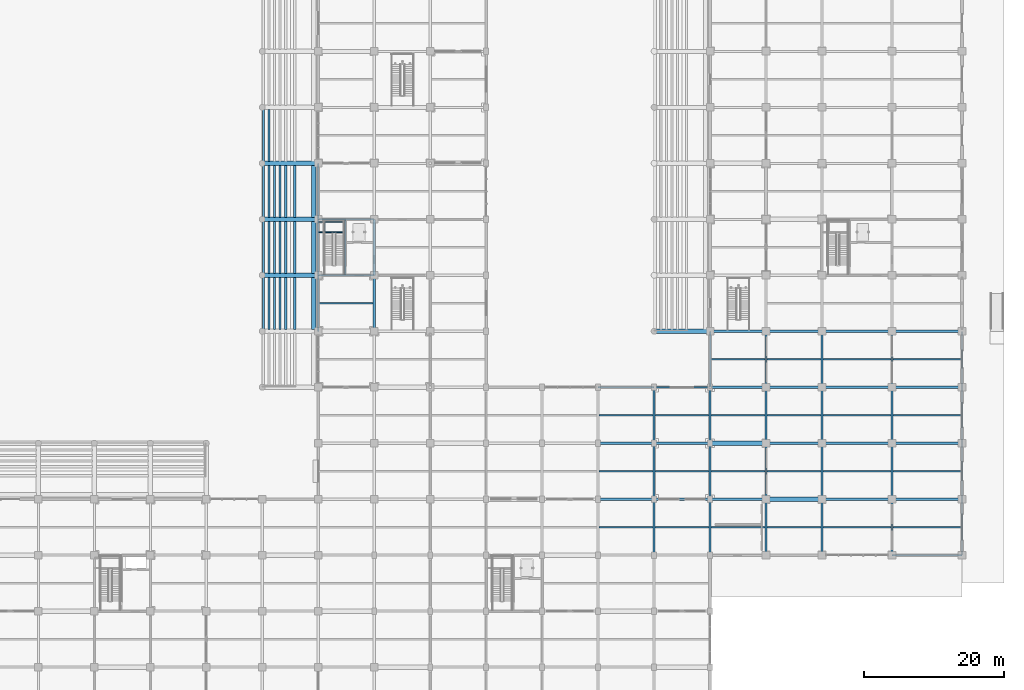
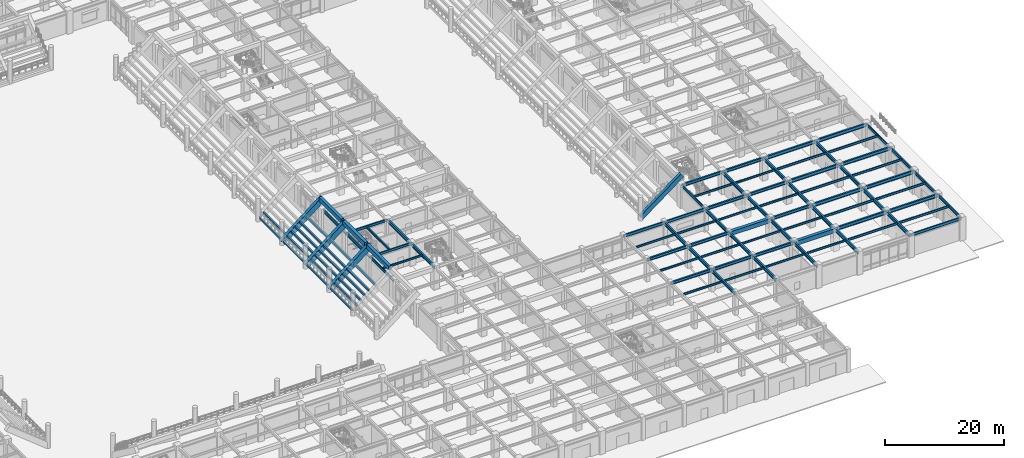
# One storey, part 35 of 125: 107 beams.
"""IFC4 building model written with IfcOpenShell, lengths in metres."""

import ifcopenshell
import ifcopenshell.guid

model = None  # the IFC model being written
_history = None  # IfcOwnerHistory: only IFC2X3 demands one
_inside = {}  # id of a spatial element -> (the spatial element, [elements in it])
_under = {}  # id of a project, library or spatial element -> (it, [spatial elements below it])
_declared = {}  # id of a project -> (the project, [libraries it declares])
_typed = {}  # id of a type object -> (the type object, [elements of that type])
_made_of = {}  # id of a material, layer set ... -> (it, [elements and type objects made of it])


def new_model(schema):
    """Start an empty IFC model of exactly this schema.

    Asked for "IFC4X3", IfcOpenShell would pick the latest addendum, in which some entities
    have other attributes; the version numbers below select the first issue.
    IFC2X3 requires an IfcOwnerHistory on every rooted entity: one is made here for all.
    """
    global model, _history
    if schema == "IFC4X3":
        model = ifcopenshell.file(schema_version=(4, 3, 0, 0))
    else:
        model = ifcopenshell.file(schema=schema)
    _inside.clear()
    _under.clear()
    _declared.clear()
    _typed.clear()
    _made_of.clear()
    _history = None
    if model.schema == "IFC2X3":
        org = make("IfcOrganization", Name="unknown")
        user = make(
            "IfcPersonAndOrganization",
            ThePerson=make("IfcPerson", FamilyName="unknown"),
            TheOrganization=org,
        )
        app = make(
            "IfcApplication",
            ApplicationDeveloper=org,
            Version="unknown",
            ApplicationFullName="unknown",
            ApplicationIdentifier="unknown",
        )
        _history = make(
            "IfcOwnerHistory",
            OwningUser=user,
            OwningApplication=app,
            ChangeAction="ADDED",
            CreationDate=0,
        )
    return model


def make(cls, **values):
    """One entity of the class cls with the attributes given. An attribute that is None is left unset."""
    return model.create_entity(
        cls, **{name: value for name, value in values.items() if value is not None}
    )


def rooted(cls, **values):
    """An entity with a GlobalId (a new one), such as an element, a storey or a relation."""
    return make(cls, GlobalId=ifcopenshell.guid.new(), OwnerHistory=_history, **values)


def si_unit(unit_type, name, prefix=None):
    """IfcSIUnit, for example si_unit("LENGTHUNIT", "METRE", prefix="MILLI")."""
    return make("IfcSIUnit", UnitType=unit_type, Prefix=prefix, Name=name)


def assignment(units):
    """IfcUnitAssignment: the units of a project."""
    return None if units is None else make("IfcUnitAssignment", Units=units)


def point(xyz):
    """IfcCartesianPoint."""
    return None if xyz is None else make("IfcCartesianPoint", Coordinates=xyz)


def direction(xyz):
    """IfcDirection."""
    return None if xyz is None else make("IfcDirection", DirectionRatios=xyz)


def frame(location, z_axis=None, x_axis=None):
    """IfcAxis2Placement3D, a coordinate frame: its origin and axes. An axis left out is left unset."""
    return make(
        "IfcAxis2Placement3D",
        Location=point(location),
        Axis=direction(z_axis),
        RefDirection=direction(x_axis),
    )


def frame_2d(location, x_axis=None):
    """IfcAxis2Placement2D, a coordinate frame in the plane: its origin and x axis."""
    return make(
        "IfcAxis2Placement2D", Location=point(location), RefDirection=direction(x_axis)
    )


def origin():
    """The frame at (0, 0, 0) with its axes left unset."""
    return frame((0.0, 0.0, 0.0))


def origin_2d():
    """The frame at (0, 0) in the plane with its x axis left unset."""
    return frame_2d((0.0, 0.0))


def place(relative_to, where):
    """IfcLocalPlacement: puts the frame where relative to a parent placement (None: the world)."""
    return make(
        "IfcLocalPlacement", PlacementRelTo=relative_to, RelativePlacement=where
    )


def context(
    kind, dimensions, precision=None, world=None, true_north=None, identifier=None
):
    """IfcGeometricRepresentationContext, for example the 3D "Model" context."""
    return make(
        "IfcGeometricRepresentationContext",
        ContextIdentifier=identifier,
        ContextType=kind,
        CoordinateSpaceDimension=dimensions,
        Precision=precision,
        WorldCoordinateSystem=world,
        TrueNorth=true_north,
    )


def subcontext(parent, identifier, kind, view, scale=None):
    """IfcGeometricRepresentationSubContext, for example "Body" below "Model"."""
    return make(
        "IfcGeometricRepresentationSubContext",
        ContextIdentifier=identifier,
        ContextType=kind,
        ParentContext=parent,
        TargetScale=scale,
        TargetView=view,
    )


def project(units=None, contexts=None):
    """IfcProject with its units and contexts."""
    return rooted(
        "IfcProject",
        Name="project",
        RepresentationContexts=contexts,
        UnitsInContext=assignment(units),
    )


def spatial(cls, under=None, at=None, **own):
    """A site, building, storey or space (cls), placed at a placement, below another one or the project."""
    s = rooted(cls, ObjectPlacement=at, **own)
    if under is not None:
        _under.setdefault(under.id(), (under, []))[1].append(s)
    return s


def profile(cls, at=None, kind="AREA", **sizes):
    """A parametric profile (cls). Its sizes go by their IFC names, for example OverallWidth=200.0."""
    return make(cls, ProfileType=kind, Position=at, **sizes)


def rectangle(**sizes):
    """IfcRectangleProfileDef."""
    return profile("IfcRectangleProfileDef", **sizes)


def i_section(**sizes):
    """IfcIShapeProfileDef."""
    return profile("IfcIShapeProfileDef", **sizes)


def extrude(swept, where, along, depth):
    """IfcExtrudedAreaSolid: the profile swept, set in the frame where, extruded along a direction by depth."""
    return make(
        "IfcExtrudedAreaSolid",
        SweptArea=swept,
        Position=where,
        ExtrudedDirection=direction(along),
        Depth=depth,
    )


def shape(context_of_items, identifier, shape_type, items):
    """IfcShapeRepresentation: the items that make up one representation, for example the "Body"."""
    return make(
        "IfcShapeRepresentation",
        ContextOfItems=context_of_items,
        RepresentationIdentifier=identifier,
        RepresentationType=shape_type,
        Items=items,
    )


def material(Name=None, Category=None):
    """IfcMaterial."""
    return make("IfcMaterial", Name=Name, Category=Category)


def material_profile(
    of_material, cross_section, Name=None, Category=None, Priority=None
):
    """IfcMaterialProfile: a cross section and its material."""
    return make(
        "IfcMaterialProfile",
        Name=Name,
        Material=of_material,
        Profile=cross_section,
        Priority=Priority,
        Category=Category,
    )


def profile_set(profiles, Name=None, composite=None):
    """IfcMaterialProfileSet."""
    return make(
        "IfcMaterialProfileSet",
        Name=Name,
        MaterialProfiles=profiles,
        CompositeProfile=composite,
    )


def made_of(thing, what):
    """Note that an element or type object is made of a material, layer set ...; save() writes the relation."""
    if what is not None:
        _made_of.setdefault(what.id(), (what, []))[1].append(thing)
    return thing


def type_object(cls, material=None, **own):
    """A type object (cls), such as IfcWallType, which elements share."""
    return made_of(rooted(cls, **own), material)


def element(
    cls,
    number,
    at=None,
    inside=None,
    cuts=None,
    type_object=None,
    material=None,
    context=None,
    identifier="Body",
    shape_type=None,
    held_by="IfcProductDefinitionShape",
    body=None,
    shapes=None,
    **own,
):
    """One element of the class cls, such as IfcWall. Its Tag is "e" and its number.

    at: its placement. inside: the storey or other place that contains it. cuts: it is an
    opening in that element (IfcRelVoidsElement). A single representation is given by context,
    identifier, shape_type and body (its items); several are given by shapes. held_by: the class
    of the entity that holds the representations. save() writes the other relations.
    """
    e = rooted(cls, Tag="e%d" % number, ObjectPlacement=at, **own)
    if body is not None:
        shapes = [shape(context, identifier, shape_type, body)]
    if shapes is not None:
        e.Representation = make(held_by, Representations=shapes)
    if inside is not None:
        _inside.setdefault(inside.id(), (inside, []))[1].append(e)
    if cuts is not None:
        rooted(
            "IfcRelVoidsElement", RelatingBuildingElement=cuts, RelatedOpeningElement=e
        )
    if type_object is not None:
        _typed.setdefault(type_object.id(), (type_object, []))[1].append(e)
    return made_of(e, material)


def aggregate(whole, parts):
    """IfcRelAggregates: a whole, such as a stair, and the parts it consists of."""
    return rooted("IfcRelAggregates", RelatingObject=whole, RelatedObjects=parts)


def save(model, path):
    """Write the relations noted so far, then the file.

    IfcRelAggregates (storeys below a building ...), IfcRelContainedInSpatialStructure (elements
    in a storey), IfcRelDefinesByType, IfcRelAssociatesMaterial and IfcRelDeclares: one each for
    every whole, place, type object, material and project.
    """
    for whole, parts in _under.values():
        aggregate(whole, parts)
    for where, things in _inside.values():
        rooted(
            "IfcRelContainedInSpatialStructure",
            RelatedElements=things,
            RelatingStructure=where,
        )
    for kind, things in _typed.values():
        rooted("IfcRelDefinesByType", RelatedObjects=things, RelatingType=kind)
    for what, things in _made_of.values():
        rooted("IfcRelAssociatesMaterial", RelatedObjects=things, RelatingMaterial=what)
    for by, libraries in _declared.values():
        rooted("IfcRelDeclares", RelatingContext=by, RelatedDefinitions=libraries)
    model.write(path)


model = new_model("IFC4")

# Units and contexts
model_context = context("Model", 3, precision=1e-05, world=origin(), true_north=direction((0.0, 1.0)))
body_context = subcontext(model_context, "Body", "Model", "MODEL_VIEW")
ifc_project = project(units=[si_unit("LENGTHUNIT", "METRE"), si_unit("AREAUNIT", "SQUARE_METRE"), si_unit("VOLUMEUNIT", "CUBIC_METRE"), si_unit("PLANEANGLEUNIT", "RADIAN"), si_unit("MASSUNIT", "GRAM", prefix="KILO")], contexts=[model_context])

# Site, building, storey
site_placement = place(None, origin())
site = spatial("IfcSite", under=ifc_project, at=site_placement, CompositionType="ELEMENT")
building_placement = place(site_placement, origin())
building = spatial("IfcBuilding", under=site, at=building_placement, Name="Haebicheon Civic Stadium", CompositionType="ELEMENT")
storey_placement = place(building_placement, origin())
storey = spatial("IfcBuildingStorey", under=building, at=storey_placement, Name="L01", CompositionType="ELEMENT", Elevation=0.0)

# Beams
ifc_material_1 = material(Name="Precast concrete C40/50", Category="concrete")
ifc_material_profile_1 = material_profile(ifc_material_1, rectangle(XDim=0.300048828125, YDim=0.39990234375, at=origin_2d()), Name="PC-LN-300x400")
ifc_profile_set_1 = profile_set([ifc_material_profile_1], Name="Precast concrete C40/50")
beam_type_1 = type_object("IfcBeamType", Name="BM-LN-300x400", PredefinedType="LINTEL", material=ifc_profile_set_1)
for number, where, z_axis, x_axis, name in (
    (1, (136.159912109375, 56.280029296875, 0.760009765625), (0.0, 1.0, 0.0), (-1.0, 0.0, 0.0), "TIER-E-L precast step carrier beam 2.1"),
    (2, (136.9599609375, 56.280029296875, 1.470947265625), (0.0, 1.0, 0.0), (-1.0, 0.0, 0.0), "TIER-E-L precast step carrier beam 2.2"),
    (3, (137.760009765625, 56.280029296875, 2.181884765625), (0.0, 1.0, 0.0), (-1.0, 0.0, 0.0), "TIER-E-L precast step carrier beam 2.3"),
    (4, (138.56005859375, 56.280029296875, 2.89306640625), (0.0, 1.0, 0.0), (-1.0, 0.0, 0.0), "TIER-E-L precast step carrier beam 2.4"),
    (5, (139.360107421875, 56.280029296875, 3.60400390625), (0.0, 1.0, 0.0), (-1.0, 0.0, 0.0), "TIER-E-L precast step carrier beam 2.5"),
    (6, (140.639892578125, 56.280029296875, 4.31591796875), (0.0, 1.0, 0.0), (-1.0, 0.0, 0.0), "TIER-E-L precast step carrier beam 2.6"),
    (7, (136.159912109375, 64.280029296875, 0.760009765625), (0.0, 1.0, 0.0), (-1.0, 0.0, 0.0), "TIER-E-L precast step carrier beam 3.1"),
    (8, (136.9599609375, 64.280029296875, 1.470947265625), (0.0, 1.0, 0.0), (-1.0, 0.0, 0.0), "TIER-E-L precast step carrier beam 3.2"),
    (9, (137.760009765625, 64.280029296875, 2.181884765625), (0.0, 1.0, 0.0), (-1.0, 0.0, 0.0), "TIER-E-L precast step carrier beam 3.3"),
    (10, (138.56005859375, 64.280029296875, 2.89306640625), (0.0, 1.0, 0.0), (-1.0, 0.0, 0.0), "TIER-E-L precast step carrier beam 3.4"),
    (11, (139.360107421875, 64.280029296875, 3.60400390625), (0.0, 1.0, 0.0), (-1.0, 0.0, 0.0), "TIER-E-L precast step carrier beam 3.5"),
    (12, (140.639892578125, 64.280029296875, 4.31591796875), (0.0, 1.0, 0.0), (-1.0, 0.0, 0.0), "TIER-E-L precast step carrier beam 3.6"),
    (13, (136.159912109375, 72.280029296875, 0.760009765625), (0.0, 1.0, 0.0), (-1.0, 0.0, 0.0), "TIER-E-L precast step carrier beam 4.1"),
    (14, (136.9599609375, 72.280029296875, 1.470947265625), (0.0, 1.0, 0.0), (-1.0, 0.0, 0.0), "TIER-E-L precast step carrier beam 4.2"),
    (15, (137.760009765625, 72.280029296875, 2.181884765625), (0.0, 1.0, 0.0), (-1.0, 0.0, 0.0), "TIER-E-L precast step carrier beam 4.3"),
    (16, (138.56005859375, 72.280029296875, 2.89306640625), (0.0, 1.0, 0.0), (-1.0, 0.0, 0.0), "TIER-E-L precast step carrier beam 4.4"),
    (17, (139.360107421875, 72.280029296875, 3.60400390625), (0.0, 1.0, 0.0), (-1.0, 0.0, 0.0), "TIER-E-L precast step carrier beam 4.5"),
    (18, (140.639892578125, 72.280029296875, 4.31591796875), (0.0, 1.0, 0.0), (-1.0, 0.0, 0.0), "TIER-E-L precast step carrier beam 4.6"),
    (19, (136.159912109375, 80.280029296875, 0.760009765625), (0.0, 1.0, 0.0), (-1.0, 0.0, 0.0), "TIER-E-L precast step carrier beam 5.1"),
    (20, (136.9599609375, 80.280029296875, 1.470947265625), (0.0, 1.0, 0.0), (-1.0, 0.0, 0.0), "TIER-E-L precast step carrier beam 5.2"),
):
    element("IfcBeam", number, at=place(storey_placement, frame(where, z_axis=z_axis, x_axis=x_axis)), inside=storey, type_object=beam_type_1, material=ifc_profile_set_1, Name=name, PredefinedType="LINTEL", context=body_context, shape_type="SweptSolid", body=[
        extrude(rectangle(XDim=0.300048828125, YDim=0.39990234375, at=origin_2d()), origin(), (0.0, 0.0, 1.0), 7.43994140625),
    ])
ifc_material_2 = material(Name="Steel SM355 (S355)", Category="steel")
ifc_material_profile_2 = material_profile(ifc_material_2, i_section(OverallWidth=0.199951171875, OverallDepth=0.5, WebThickness=0.010009765625, FlangeThickness=0.01611328125, at=origin_2d()), Name="H-500x200x10x16")
ifc_profile_set_2 = profile_set([ifc_material_profile_2], Name="Steel SM355 (S355)")
beam_type_2 = type_object("IfcBeamType", Name="BM-ST-H500", PredefinedType="BEAM", material=ifc_profile_set_2)
for number, where, z_axis, x_axis, name in (
    (21, (144.0, 64.0, 4.27001953125), (1.0, 0.0, 0.0), (0.0, 1.0, 0.0), "L01 beam J/19-20"),
    (22, (144.0, 72.0, 4.27001953125), (1.0, 0.0, 0.0), (0.0, 1.0, 0.0), "L01 beam K/19-20"),
):
    element("IfcBeam", number, at=place(storey_placement, frame(where, z_axis=z_axis, x_axis=x_axis)), inside=storey, type_object=beam_type_2, material=ifc_profile_set_2, Name=name, PredefinedType="BEAM", context=body_context, shape_type="SweptSolid", body=[
        extrude(i_section(OverallWidth=0.199951171875, OverallDepth=0.5, WebThickness=0.010009765625, FlangeThickness=0.01611328125, at=origin_2d()), origin(), (0.0, 0.0, 1.0), 8.0),
    ])
beam_1_placement = place(storey_placement, frame((147.8798828125, 64.10009765625, 4.27001953125), z_axis=(0.0, 1.0, 0.0), x_axis=(-1.0, 0.0, 0.0)))
element("IfcBeam", 23, at=beam_1_placement, inside=storey, type_object=beam_type_2, material=ifc_profile_set_2, Name="L01 KC-10 core dividing wall support beam", PredefinedType="BEAM", context=body_context, shape_type="SweptSolid", body=[
    extrude(i_section(OverallWidth=0.199951171875, OverallDepth=0.5, WebThickness=0.010009765625, FlangeThickness=0.01611328125, at=origin_2d()), origin(), (0.0, 0.0, 1.0), 7.7998046875),
])
ifc_material_3 = material(Name="Steel SM355 (S355)", Category="steel")
ifc_material_profile_3 = material_profile(ifc_material_3, i_section(OverallWidth=0.300048828125, OverallDepth=0.60009765625, WebThickness=0.011962890625, FlangeThickness=0.02001953125, at=origin_2d()), Name="H-600x300x12x20")
ifc_profile_set_3 = profile_set([ifc_material_profile_3], Name="Steel SM355 (S355)")
beam_type_3 = type_object("IfcBeamType", Name="BM-ST-H600A", PredefinedType="BEAM", material=ifc_profile_set_3)
for number, where, z_axis, x_axis, name in (
    (24, (184.0, 32.0, 4.219970703125), (1.0, 0.0, 0.0), (0.0, 1.0, 0.0), "L01 beam E/24-25"),
    (25, (184.0, 40.0, 4.219970703125), (1.0, 0.0, 0.0), (0.0, 1.0, 0.0), "L01 beam F/24-25"),
    (26, (192.0, 32.0, 4.219970703125), (1.0, 0.0, 0.0), (0.0, 1.0, 0.0), "L01 beam E/25-26"),
    (27, (192.0, 40.0, 4.219970703125), (1.0, 0.0, 0.0), (0.0, 1.0, 0.0), "L01 beam F/25-26"),
    (28, (200.0, 32.0, 4.219970703125), (1.0, 0.0, 0.0), (0.0, 1.0, 0.0), "L01 beam E/26-27"),
    (29, (200.0, 48.0, 4.219970703125), (1.0, 0.0, 0.0), (0.0, 1.0, 0.0), "L01 beam G/26-27"),
    (30, (200.0, 56.0, 4.219970703125), (1.0, 0.0, 0.0), (0.0, 1.0, 0.0), "L01 beam H/26-27"),
    (31, (208.0, 40.0, 4.219970703125), (1.0, 0.0, 0.0), (0.0, 1.0, 0.0), "L01 beam F/27-28"),
    (32, (208.0, 48.0, 4.219970703125), (1.0, 0.0, 0.0), (0.0, 1.0, 0.0), "L01 beam G/27-28"),
    (33, (208.0, 56.0, 4.219970703125), (1.0, 0.0, 0.0), (0.0, 1.0, 0.0), "L01 beam H/27-28"),
):
    element("IfcBeam", number, at=place(storey_placement, frame(where, z_axis=z_axis, x_axis=x_axis)), inside=storey, type_object=beam_type_3, material=ifc_profile_set_3, Name=name, PredefinedType="BEAM", context=body_context, shape_type="SweptSolid", body=[
        extrude(i_section(OverallWidth=0.300048828125, OverallDepth=0.60009765625, WebThickness=0.011962890625, FlangeThickness=0.02001953125, at=origin_2d()), origin(), (0.0, 0.0, 1.0), 8.0),
    ])
ifc_material_4 = material(Name="Steel SM490", Category="steel")
ifc_material_profile_4 = material_profile(ifc_material_4, i_section(OverallWidth=0.300048828125, OverallDepth=0.699951171875, WebThickness=0.012939453125, FlangeThickness=0.02392578125, at=origin_2d()), Name="H-700x300x13x24")
ifc_profile_set_4 = profile_set([ifc_material_profile_4], Name="Steel SM490")
beam_type_4 = type_object("IfcBeamType", Name="BM-ST-H700", PredefinedType="BEAM", material=ifc_profile_set_4)
for number, where, z_axis, x_axis, name in (
    (34, (152.0, 56.0, 4.169921875), (0.0, 1.0, 0.0), (-1.0, 0.0, 0.0), "L01 girder 20/H-J"),
    (35, (152.0, 64.0, 4.169921875), (0.0, 1.0, 0.0), (-1.0, 0.0, 0.0), "L01 girder 20/J-K"),
    (36, (192.0, 24.0, 4.169921875), (0.0, 1.0, 0.0), (-1.0, 0.0, 0.0), "L01 girder 25/D-E"),
    (37, (192.0, 32.0, 4.169921875), (0.0, 1.0, 0.0), (-1.0, 0.0, 0.0), "L01 girder 25/E-F"),
    (38, (192.0, 40.0, 4.169921875), (0.0, 1.0, 0.0), (-1.0, 0.0, 0.0), "L01 girder 25/F-G"),
    (39, (200.0, 24.0, 4.169921875), (0.0, 1.0, 0.0), (-1.0, 0.0, 0.0), "L01 girder 26/D-E"),
    (40, (200.0, 32.0, 4.169921875), (0.0, 1.0, 0.0), (-1.0, 0.0, 0.0), "L01 girder 26/E-F"),
    (41, (200.0, 40.0, 4.169921875), (0.0, 1.0, 0.0), (-1.0, 0.0, 0.0), "L01 girder 26/F-G"),
    (42, (208.0, 24.0, 4.22998046875), (0.0, 1.0, 0.0), (-1.0, 0.0, 0.0), "L01 girder 27/D-E"),
    (43, (208.0, 32.0, 4.169921875), (0.0, 1.0, 0.0), (-1.0, 0.0, 0.0), "L01 girder 27/E-F"),
    (44, (208.0, 40.0, 4.169921875), (0.0, 1.0, 0.0), (-1.0, 0.0, 0.0), "L01 girder 27/F-G"),
    (45, (208.0, 48.0, 4.169921875), (0.0, 1.0, 0.0), (-1.0, 0.0, 0.0), "L01 girder 27/G-H"),
    (46, (216.0, 24.0, 4.22998046875), (0.0, 1.0, 0.0), (-1.0, 0.0, 0.0), "L01 girder 28/D-E"),
    (47, (216.0, 32.0, 4.169921875), (0.0, 1.0, 0.0), (-1.0, 0.0, 0.0), "L01 girder 28/E-F"),
    (48, (216.0, 40.0, 4.169921875), (0.0, 1.0, 0.0), (-1.0, 0.0, 0.0), "L01 girder 28/F-G"),
    (49, (216.0, 48.0, 4.169921875), (0.0, 1.0, 0.0), (-1.0, 0.0, 0.0), "L01 girder 28/G-H"),
    (50, (226.0, 24.0, 4.22998046875), (0.0, 1.0, 0.0), (-1.0, 0.0, 0.0), "L01 girder 29/D-E"),
    (51, (226.0, 32.0, 4.169921875), (0.0, 1.0, 0.0), (-1.0, 0.0, 0.0), "L01 girder 29/E-F"),
    (52, (226.0, 40.0, 4.169921875), (0.0, 1.0, 0.0), (-1.0, 0.0, 0.0), "L01 girder 29/F-G"),
    (53, (226.0, 48.0, 4.169921875), (0.0, 1.0, 0.0), (-1.0, 0.0, 0.0), "L01 girder 29/G-H"),
):
    element("IfcBeam", number, at=place(storey_placement, frame(where, z_axis=z_axis, x_axis=x_axis)), inside=storey, type_object=beam_type_4, material=ifc_profile_set_4, Name=name, PredefinedType="BEAM", context=body_context, shape_type="SweptSolid", body=[
        extrude(i_section(OverallWidth=0.300048828125, OverallDepth=0.699951171875, WebThickness=0.012939453125, FlangeThickness=0.02392578125, at=origin_2d()), origin(), (0.0, 0.0, 1.0), 8.0),
    ])
for number, where, z_axis, x_axis, name in (
    (54, (216.0, 32.0, 4.169921875), (1.0, 0.0, 0.0), (0.0, 1.0, 0.0), "L01 beam E/28-29"),
    (55, (216.0, 40.0, 4.169921875), (1.0, 0.0, 0.0), (0.0, 1.0, 0.0), "L01 beam F/28-29"),
    (56, (216.0, 48.0, 4.169921875), (1.0, 0.0, 0.0), (0.0, 1.0, 0.0), "L01 beam G/28-29"),
    (57, (216.0, 56.0, 4.169921875), (1.0, 0.0, 0.0), (0.0, 1.0, 0.0), "L01 beam H/28-29"),
    (58, (226.0, 32.0, 4.169921875), (1.0, 0.0, 0.0), (0.0, 1.0, 0.0), "L01 beam E/29-30"),
    (59, (226.0, 40.0, 4.169921875), (1.0, 0.0, 0.0), (0.0, 1.0, 0.0), "L01 beam F/29-30"),
    (60, (226.0, 48.0, 4.169921875), (1.0, 0.0, 0.0), (0.0, 1.0, 0.0), "L01 beam G/29-30"),
    (61, (226.0, 56.0, 4.169921875), (1.0, 0.0, 0.0), (0.0, 1.0, 0.0), "L01 beam H/29-30"),
):
    element("IfcBeam", number, at=place(storey_placement, frame(where, z_axis=z_axis, x_axis=x_axis)), inside=storey, type_object=beam_type_4, material=ifc_profile_set_4, Name=name, PredefinedType="BEAM", context=body_context, shape_type="SweptSolid", body=[
        extrude(i_section(OverallWidth=0.300048828125, OverallDepth=0.699951171875, WebThickness=0.012939453125, FlangeThickness=0.02392578125, at=origin_2d()), origin(), (0.0, 0.0, 1.0), 10.0),
    ])
ifc_material_5 = material(Name="Precast concrete C40/50", Category="concrete")
ifc_material_profile_5 = material_profile(ifc_material_5, rectangle(XDim=0.60009765625, YDim=0.85009765625, at=origin_2d()), Name="PC-TB-600x850")
ifc_profile_set_5 = profile_set([ifc_material_profile_5], Name="Precast concrete C40/50")
beam_type_5 = type_object("IfcBeamType", Name="BM-TB-600x850", PredefinedType="T_BEAM", material=ifc_profile_set_5)
for number, where, z_axis, x_axis, name in (
    (62, (200.0, 40.0, 4.094970703125), (1.0, 0.0, 0.0), (0.0, 1.0, 0.0), "L01 beam F/26-27"),
    (63, (208.0, 32.0, 4.094970703125), (1.0, 0.0, 0.0), (0.0, 1.0, 0.0), "L01 beam E/27-28"),
):
    element("IfcBeam", number, at=place(storey_placement, frame(where, z_axis=z_axis, x_axis=x_axis)), inside=storey, type_object=beam_type_5, material=ifc_profile_set_5, Name=name, PredefinedType="T_BEAM", context=body_context, shape_type="SweptSolid", body=[
        extrude(rectangle(XDim=0.60009765625, YDim=0.85009765625, at=origin_2d()), origin(), (0.0, 0.0, 1.0), 8.0),
    ])
for number, where, z_axis, x_axis, name in (
    (64, (143.360107421875, 56.280029296875, 6.93505859375), (0.0, 1.0, 0.0), (-1.0, 0.0, 0.0), "TIER-E-L upper tier bench carrier beam 2"),
    (65, (143.360107421875, 64.280029296875, 6.93505859375), (0.0, 1.0, 0.0), (-1.0, 0.0, 0.0), "TIER-E-L upper tier bench carrier beam 3"),
    (66, (143.360107421875, 72.280029296875, 6.93505859375), (0.0, 1.0, 0.0), (-1.0, 0.0, 0.0), "TIER-E-L upper tier bench carrier beam 4"),
):
    element("IfcBeam", number, at=place(storey_placement, frame(where, z_axis=z_axis, x_axis=x_axis)), inside=storey, type_object=beam_type_5, material=ifc_profile_set_5, Name=name, PredefinedType="T_BEAM", context=body_context, shape_type="SweptSolid", body=[
        extrude(rectangle(XDim=0.60009765625, YDim=0.85009765625, at=origin_2d()), origin(), (0.0, 0.0, 1.0), 7.43994140625),
    ])
ifc_material_6 = material(Name="Steel SM355 (S355)", Category="steel")
ifc_material_profile_6 = material_profile(ifc_material_6, i_section(OverallWidth=0.125, OverallDepth=0.25, WebThickness=0.006103515625, FlangeThickness=0.009033203125, at=origin_2d()), Name="H-250x125x6x9")
ifc_profile_set_6 = profile_set([ifc_material_profile_6], Name="Steel SM355 (S355)")
beam_type_6 = type_object("IfcBeamType", Name="JST-ST-H250", PredefinedType="JOIST", material=ifc_profile_set_6)
for number, where, z_axis, x_axis, name in (
    (67, (144.080078125, 70.169921875, 2.072021484375), (1.0, 0.0, 0.0), (0.0, 1.0, 0.0), "KC-10 L01 stair half-landing front trimmer beam"),
    (68, (144.080078125, 71.6201171875, 2.072021484375), (1.0, 0.0, 0.0), (0.0, 1.0, 0.0), "KC-10 L01 stair half-landing rear trimmer beam"),
):
    element("IfcBeam", number, at=place(storey_placement, frame(where, z_axis=z_axis, x_axis=x_axis)), inside=storey, type_object=beam_type_6, material=ifc_profile_set_6, Name=name, PredefinedType="JOIST", context=body_context, shape_type="SweptSolid", body=[
        extrude(i_section(OverallWidth=0.125, OverallDepth=0.25, WebThickness=0.006103515625, FlangeThickness=0.009033203125, at=origin_2d()), origin(), (0.0, 0.0, 1.0), 3.719970703125),
    ])
beam_2_placement = place(storey_placement, frame((144.9599609375, 70.169921875, 2.072021484375), z_axis=(0.0, 1.0, 0.0), x_axis=(-1.0, 0.0, 0.0)))
element("IfcBeam", 69, at=beam_2_placement, inside=storey, type_object=beam_type_6, material=ifc_profile_set_6, Name="KC-10 L01 stair half-landing transverse tie beam", PredefinedType="JOIST", context=body_context, shape_type="SweptSolid", body=[
    extrude(i_section(OverallWidth=0.125, OverallDepth=0.25, WebThickness=0.006103515625, FlangeThickness=0.009033203125, at=origin_2d()), origin(), (0.0, 0.0, 1.0), 1.4501953125),
])
ifc_material_7 = material(Name="Steel SM355 (S355)", Category="steel")
ifc_material_profile_7 = material_profile(ifc_material_7, i_section(OverallWidth=0.199951171875, OverallDepth=0.39990234375, WebThickness=0.008056640625, FlangeThickness=0.012939453125, at=origin_2d()), Name="H-400x200x8x13")
ifc_profile_set_7 = profile_set([ifc_material_profile_7], Name="Steel SM355 (S355)")
beam_type_7 = type_object("IfcBeamType", Name="JST-ST-H400", PredefinedType="JOIST", material=ifc_profile_set_7)
beam_3_placement = place(storey_placement, frame((144.10009765625, 60.0, 4.320068359375), z_axis=(1.0, 0.0, 0.0), x_axis=(0.0, 1.0, 0.0)))
element("IfcBeam", 70, at=beam_3_placement, inside=storey, type_object=beam_type_7, material=ifc_profile_set_7, Name="L01 secondary joist 18-07", PredefinedType="JOIST", context=body_context, shape_type="SweptSolid", body=[
    extrude(i_section(OverallWidth=0.199951171875, OverallDepth=0.39990234375, WebThickness=0.008056640625, FlangeThickness=0.012939453125, at=origin_2d()), origin(), (0.0, 0.0, 1.0), 7.75),
])
for number, where, z_axis, x_axis, name in (
    (71, (184.14990234375, 28.0, 4.320068359375), (1.0, 0.0, 0.0), (0.0, 1.0, 0.0), "L01 secondary joist 23-03"),
    (72, (184.14990234375, 36.0, 4.320068359375), (1.0, 0.0, 0.0), (0.0, 1.0, 0.0), "L01 secondary joist 23-04"),
    (73, (184.14990234375, 44.0, 4.320068359375), (1.0, 0.0, 0.0), (0.0, 1.0, 0.0), "L01 secondary joist 23-05"),
    (74, (192.14990234375, 28.0, 4.320068359375), (1.0, 0.0, 0.0), (0.0, 1.0, 0.0), "L01 secondary joist 24-03"),
    (75, (192.14990234375, 36.0, 4.320068359375), (1.0, 0.0, 0.0), (0.0, 1.0, 0.0), "L01 secondary joist 24-04"),
    (76, (192.14990234375, 44.0, 4.320068359375), (1.0, 0.0, 0.0), (0.0, 1.0, 0.0), "L01 secondary joist 24-05"),
    (77, (200.14990234375, 28.0, 4.3798828125), (1.0, 0.0, 0.0), (0.0, 1.0, 0.0), "L01 secondary joist 25-03"),
    (78, (200.14990234375, 36.0, 4.320068359375), (1.0, 0.0, 0.0), (0.0, 1.0, 0.0), "L01 secondary joist 25-04"),
    (79, (200.14990234375, 44.0, 4.320068359375), (1.0, 0.0, 0.0), (0.0, 1.0, 0.0), "L01 secondary joist 25-05"),
):
    element("IfcBeam", number, at=place(storey_placement, frame(where, z_axis=z_axis, x_axis=x_axis)), inside=storey, type_object=beam_type_7, material=ifc_profile_set_7, Name=name, PredefinedType="JOIST", context=body_context, shape_type="SweptSolid", body=[
        extrude(i_section(OverallWidth=0.199951171875, OverallDepth=0.39990234375, WebThickness=0.008056640625, FlangeThickness=0.012939453125, at=origin_2d()), origin(), (0.0, 0.0, 1.0), 7.7001953125),
    ])
beam_4_placement = place(storey_placement, frame((200.10009765625, 52.0, 4.320068359375), z_axis=(1.0, 0.0, 0.0), x_axis=(0.0, 1.0, 0.0)))
element("IfcBeam", 80, at=beam_4_placement, inside=storey, type_object=beam_type_7, material=ifc_profile_set_7, Name="L01 secondary joist 25-06", PredefinedType="JOIST", context=body_context, shape_type="SweptSolid", body=[
    extrude(i_section(OverallWidth=0.199951171875, OverallDepth=0.39990234375, WebThickness=0.008056640625, FlangeThickness=0.012939453125, at=origin_2d()), origin(), (0.0, 0.0, 1.0), 7.75),
])
for number, where, z_axis, x_axis, name in (
    (81, (208.14990234375, 28.0, 4.3798828125), (1.0, 0.0, 0.0), (0.0, 1.0, 0.0), "L01 secondary joist 26-03"),
    (82, (208.14990234375, 36.0, 4.320068359375), (1.0, 0.0, 0.0), (0.0, 1.0, 0.0), "L01 secondary joist 26-04"),
    (83, (208.14990234375, 44.0, 4.320068359375), (1.0, 0.0, 0.0), (0.0, 1.0, 0.0), "L01 secondary joist 26-05"),
    (84, (208.14990234375, 52.0, 4.320068359375), (1.0, 0.0, 0.0), (0.0, 1.0, 0.0), "L01 secondary joist 26-06"),
):
    element("IfcBeam", number, at=place(storey_placement, frame(where, z_axis=z_axis, x_axis=x_axis)), inside=storey, type_object=beam_type_7, material=ifc_profile_set_7, Name=name, PredefinedType="JOIST", context=body_context, shape_type="SweptSolid", body=[
        extrude(i_section(OverallWidth=0.199951171875, OverallDepth=0.39990234375, WebThickness=0.008056640625, FlangeThickness=0.012939453125, at=origin_2d()), origin(), (0.0, 0.0, 1.0), 7.7001953125),
    ])
ifc_material_8 = material(Name="Steel SM355 (S355)", Category="steel")
ifc_material_profile_8 = material_profile(ifc_material_8, i_section(OverallWidth=0.199951171875, OverallDepth=0.449951171875, WebThickness=0.009033203125, FlangeThickness=0.013916015625, at=origin_2d()), Name="H-450x200x9x14")
ifc_profile_set_8 = profile_set([ifc_material_profile_8], Name="Steel SM355 (S355)")
beam_type_8 = type_object("IfcBeamType", Name="JST-ST-H450", PredefinedType="JOIST", material=ifc_profile_set_8)
for number, where, z_axis, x_axis, name in (
    (85, (216.14990234375, 28.0, 4.35498046875), (1.0, 0.0, 0.0), (0.0, 1.0, 0.0), "L01 secondary joist 27-03"),
    (86, (216.14990234375, 36.0, 4.294921875), (1.0, 0.0, 0.0), (0.0, 1.0, 0.0), "L01 secondary joist 27-04"),
    (87, (216.14990234375, 44.0, 4.294921875), (1.0, 0.0, 0.0), (0.0, 1.0, 0.0), "L01 secondary joist 27-05"),
    (88, (216.14990234375, 52.0, 4.294921875), (1.0, 0.0, 0.0), (0.0, 1.0, 0.0), "L01 secondary joist 27-06"),
):
    element("IfcBeam", number, at=place(storey_placement, frame(where, z_axis=z_axis, x_axis=x_axis)), inside=storey, type_object=beam_type_8, material=ifc_profile_set_8, Name=name, PredefinedType="JOIST", context=body_context, shape_type="SweptSolid", body=[
        extrude(i_section(OverallWidth=0.199951171875, OverallDepth=0.449951171875, WebThickness=0.009033203125, FlangeThickness=0.013916015625, at=origin_2d()), origin(), (0.0, 0.0, 1.0), 9.7001953125),
    ])
for number, where, z_axis, x_axis, name in (
    (89, (226.14990234375, 28.0, 4.35498046875), (1.0, 0.0, 0.0), (0.0, 1.0, 0.0), "L01 secondary joist 28-03"),
    (90, (226.14990234375, 36.0, 4.294921875), (1.0, 0.0, 0.0), (0.0, 1.0, 0.0), "L01 secondary joist 28-04"),
    (91, (226.14990234375, 44.0, 4.294921875), (1.0, 0.0, 0.0), (0.0, 1.0, 0.0), "L01 secondary joist 28-05"),
    (92, (226.14990234375, 52.0, 4.294921875), (1.0, 0.0, 0.0), (0.0, 1.0, 0.0), "L01 secondary joist 28-06"),
):
    element("IfcBeam", number, at=place(storey_placement, frame(where, z_axis=z_axis, x_axis=x_axis)), inside=storey, type_object=beam_type_8, material=ifc_profile_set_8, Name=name, PredefinedType="JOIST", context=body_context, shape_type="SweptSolid", body=[
        extrude(i_section(OverallWidth=0.199951171875, OverallDepth=0.449951171875, WebThickness=0.009033203125, FlangeThickness=0.013916015625, at=origin_2d()), origin(), (0.0, 0.0, 1.0), 9.75),
    ])
ifc_material_9 = material(Name="Precast concrete C40/50", Category="concrete")
ifc_material_profile_9 = material_profile(ifc_material_9, rectangle(XDim=0.60009765625, YDim=0.949951171875, at=origin_2d()), Name="PC-RK-600x950")
ifc_profile_set_9 = profile_set([ifc_material_profile_9], Name="Precast concrete C40/50")
beam_type_9 = type_object("IfcBeamType", Name="RK-PC-600x950", PredefinedType="USERDEFINED", material=ifc_profile_set_9)
beam_5_placement = place(storey_placement, frame((192.0, 56.0, 0.485107421875), z_axis=(0.8, 0.0, 0.6), x_axis=(0.0, 1.0, 0.0)))
element("IfcBeam", 93, at=beam_5_placement, inside=storey, type_object=beam_type_9, material=ifc_profile_set_9, Name="TIER-C-L inclined precast raker beam 1", ObjectType="RAKER BEAM", PredefinedType="USERDEFINED", context=body_context, shape_type="SweptSolid", body=[
    extrude(rectangle(XDim=0.60009765625, YDim=0.949951171875, at=origin_2d()), origin(), (0.0, 0.0, 1.0), 10.0),
])
ifc_material_10 = material(Name="Precast concrete C40/50", Category="concrete")
ifc_material_profile_10 = material_profile(ifc_material_10, rectangle(XDim=0.64990234375, YDim=1.10009765625, at=origin_2d()), Name="PC-RK-650x1100")
ifc_profile_set_10 = profile_set([ifc_material_profile_10], Name="Precast concrete C40/50")
beam_type_10 = type_object("IfcBeamType", Name="RK-PC-650x1100", PredefinedType="USERDEFINED", material=ifc_profile_set_10)
for number, where, z_axis, x_axis, name in (
    (94, (136.0, 64.0, 0.409912109375), (0.780861834757, 0.0, 0.624703765813), (0.0, 1.0, 0.0), "TIER-E-L inclined precast raker beam 3"),
    (95, (136.0, 72.0, 0.409912109375), (0.780861834757, 0.0, 0.624703765813), (0.0, 1.0, 0.0), "TIER-E-L inclined precast raker beam 4"),
    (96, (136.0, 80.0, 0.409912109375), (0.780861834757, 0.0, 0.624703765813), (0.0, 1.0, 0.0), "TIER-E-L inclined precast raker beam 5"),
):
    element("IfcBeam", number, at=place(storey_placement, frame(where, z_axis=z_axis, x_axis=x_axis)), inside=storey, type_object=beam_type_10, material=ifc_profile_set_10, Name=name, ObjectType="RAKER BEAM", PredefinedType="USERDEFINED", context=body_context, shape_type="SweptSolid", body=[
        extrude(rectangle(XDim=0.64990234375, YDim=1.10009765625, at=origin_2d()), origin(), (0.0, 0.0, 1.0), 10.2451171875),
    ])
ifc_material_11 = material(Name="Steel SM355 (S355)", Category="steel")
ifc_material_profile_11 = material_profile(ifc_material_11, i_section(OverallWidth=0.199951171875, OverallDepth=0.60009765625, WebThickness=0.010986328125, FlangeThickness=0.01708984375, at=origin_2d()), Name="H-600x200x11x17")
ifc_profile_set_11 = profile_set([ifc_material_profile_11], Name="Steel SM355 (S355)")
beam_type_11 = type_object("IfcBeamType", Name="SPD-ST-H600B", PredefinedType="SPANDREL", material=ifc_profile_set_11)
for number, where, z_axis, x_axis, name in (
    (97, (144.0, 56.0, 4.219970703125), (0.0, 1.0, 0.0), (-1.0, 0.0, 0.0), "L01 girder 19/H-J"),
    (98, (144.0, 64.0, 4.219970703125), (0.0, 1.0, 0.0), (-1.0, 0.0, 0.0), "L01 girder 19/J-K"),
    (99, (144.0, 72.0, 4.219970703125), (0.0, 1.0, 0.0), (-1.0, 0.0, 0.0), "L01 girder 19/K-L"),
    (100, (200.0, 48.0, 4.219970703125), (0.0, 1.0, 0.0), (-1.0, 0.0, 0.0), "L01 girder 26/G-H"),
    (101, (236.0, 24.0, 4.280029296875), (0.0, 1.0, 0.0), (-1.0, 0.0, 0.0), "L01 girder 30/D-E"),
    (102, (236.0, 32.0, 4.219970703125), (0.0, 1.0, 0.0), (-1.0, 0.0, 0.0), "L01 girder 30/E-F"),
    (103, (236.0, 40.0, 4.219970703125), (0.0, 1.0, 0.0), (-1.0, 0.0, 0.0), "L01 girder 30/F-G"),
    (104, (236.0, 48.0, 4.219970703125), (0.0, 1.0, 0.0), (-1.0, 0.0, 0.0), "L01 girder 30/G-H"),
    (105, (184.0, 48.0, 4.219970703125), (1.0, 0.0, 0.0), (0.0, 1.0, 0.0), "L01 beam G/24-25"),
    (106, (192.0, 48.0, 4.219970703125), (1.0, 0.0, 0.0), (0.0, 1.0, 0.0), "L01 beam G/25-26"),
):
    element("IfcBeam", number, at=place(storey_placement, frame(where, z_axis=z_axis, x_axis=x_axis)), inside=storey, type_object=beam_type_11, material=ifc_profile_set_11, Name=name, PredefinedType="SPANDREL", context=body_context, shape_type="SweptSolid", body=[
        extrude(i_section(OverallWidth=0.199951171875, OverallDepth=0.60009765625, WebThickness=0.010986328125, FlangeThickness=0.01708984375, at=origin_2d()), origin(), (0.0, 0.0, 1.0), 8.0),
    ])
beam_6_placement = place(storey_placement, frame((226.0, 24.0, 4.280029296875), z_axis=(1.0, 0.0, 0.0), x_axis=(0.0, 1.0, 0.0)))
element("IfcBeam", 107, at=beam_6_placement, inside=storey, type_object=beam_type_11, material=ifc_profile_set_11, Name="L01 beam D/29-30", PredefinedType="SPANDREL", context=body_context, shape_type="SweptSolid", body=[
    extrude(i_section(OverallWidth=0.199951171875, OverallDepth=0.60009765625, WebThickness=0.010986328125, FlangeThickness=0.01708984375, at=origin_2d()), origin(), (0.0, 0.0, 1.0), 10.0),
])

save(model, "model.ifc")
